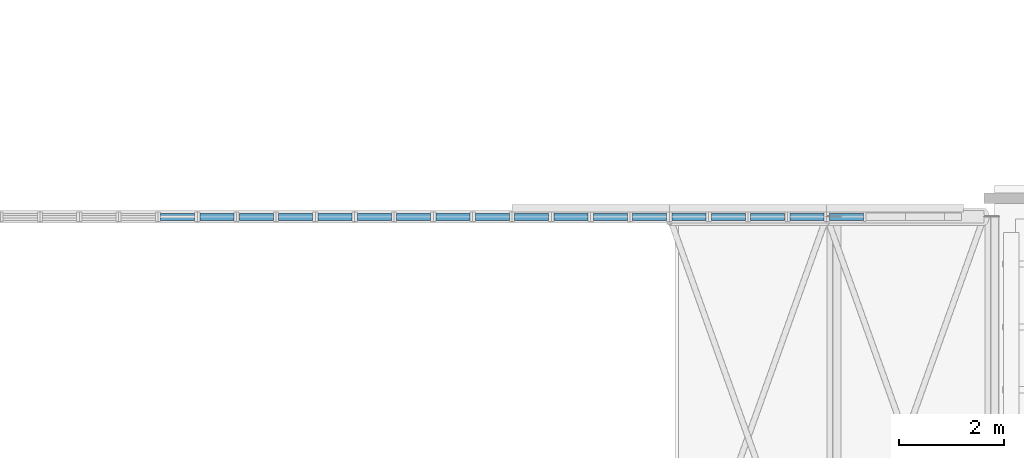
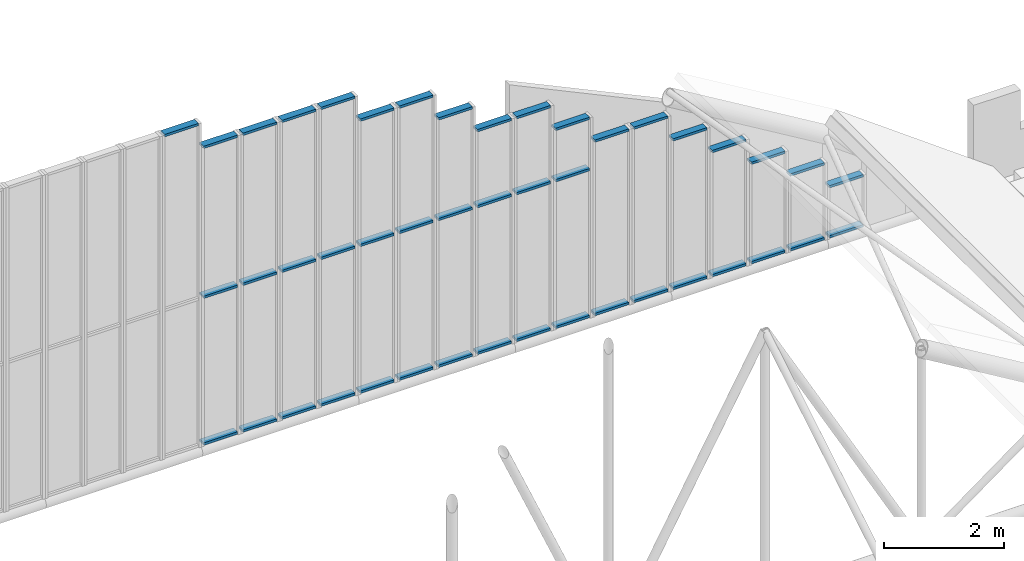
# One storey, part 91 of 153: 45 members, 18 elements without a shape of their own.
"""IFC4 building model written with IfcOpenShell, lengths in metres."""

from ifc_helpers import new_model, si_unit, direction, frame, origin, origin_2d, place, context, subcontext, project, spatial, rectangle, extrude, material, material_profile, profile_set, type_object, element, aggregate, save


model = new_model("IFC4")

# Units and contexts
model_context = context("Model", 3, precision=1e-05, world=origin(), true_north=direction((0.0, 1.0)))
body_context = subcontext(model_context, "Body", "Model", "MODEL_VIEW")
ifc_project = project(units=[si_unit("LENGTHUNIT", "METRE"), si_unit("AREAUNIT", "SQUARE_METRE"), si_unit("VOLUMEUNIT", "CUBIC_METRE"), si_unit("PLANEANGLEUNIT", "RADIAN"), si_unit("MASSUNIT", "GRAM", prefix="KILO")], contexts=[model_context])

# Site, building, storey
site_placement = place(None, origin())
site = spatial("IfcSite", under=ifc_project, at=site_placement, CompositionType="ELEMENT")
building_placement = place(site_placement, origin())
building = spatial("IfcBuilding", under=site, at=building_placement, Name="Baradari Gate Terminus", CompositionType="ELEMENT")
storey_placement = place(building_placement, frame((0.0, 0.0, 11.699951171875)))
storey = spatial("IfcBuildingStorey", under=building, at=storey_placement, Name="L02", CompositionType="ELEMENT", Elevation=11.699951171875)

# Curtain wall, member
ifc_material_1 = material(Name="Aluminium 6063-T6", Category="aluminium")
curtain_wall_type = type_object("IfcCurtainWallType", Name="Curtain wall CW-60 hall gable glazing", PredefinedType="NOTDEFINED", material=ifc_material_1)
curtain_wall_1_placement = place(storey_placement, origin())
curtain_wall_1 = element("IfcCurtainWall", 1, at=curtain_wall_1_placement, inside=storey, type_object=curtain_wall_type, Name="Hall gable glazing N28", PredefinedType="NOTDEFINED")
ifc_material_2 = material(Name="Aluminium 6063-T6", Category="aluminium")
ifc_material_profile = material_profile(ifc_material_2, rectangle(XDim=0.135009765625, YDim=0.050048828125, at=origin_2d()), Name="CT-60 50X135")
ifc_profile_set = profile_set([ifc_material_profile], Name="Aluminium 6063-T6")
member_type = type_object("IfcMemberType", Name="Curtain wall transom CT-60 50x135", PredefinedType="USERDEFINED", material=ifc_profile_set)
member_1_placement = place(storey_placement, frame((155.300048828125, 107.39990234375, 6.775146484375), z_axis=(1.0, 0.0, 0.0), x_axis=(0.0, 1.0, 0.0)))
member_1 = element("IfcMember", 2, at=member_1_placement, type_object=member_type, Name="CW-60 transom 1.3", ObjectType="TRANSOM", PredefinedType="USERDEFINED", context=body_context, shape_type="SweptSolid", body=[
    extrude(rectangle(XDim=0.135009765625, YDim=0.050048828125, at=origin_2d()), origin(), (0.0, 0.0, 1.0), 0.64990234375),
])
aggregate(curtain_wall_1, [member_1])

# Curtain wall, members
curtain_wall_2_placement = place(storey_placement, origin())
curtain_wall_2 = element("IfcCurtainWall", 3, at=curtain_wall_2_placement, inside=storey, type_object=curtain_wall_type, Name="Hall gable glazing N29", PredefinedType="NOTDEFINED")
member_2_placement = place(storey_placement, frame((156.050048828125, 107.39990234375, 0.259521484375), z_axis=(1.0, 0.0, 0.0), x_axis=(0.0, 1.0, 0.0)))
member_2 = element("IfcMember", 4, at=member_2_placement, type_object=member_type, Name="CW-60 transom 1.1", ObjectType="TRANSOM", PredefinedType="USERDEFINED", context=body_context, shape_type="SweptSolid", body=[
    extrude(rectangle(XDim=0.135009765625, YDim=0.050048828125, at=origin_2d()), origin(), (0.0, 0.0, 1.0), 0.64990234375),
])
member_3_placement = place(storey_placement, frame((156.050048828125, 107.39990234375, 3.234619140625), z_axis=(1.0, 0.0, 0.0), x_axis=(0.0, 1.0, 0.0)))
member_3 = element("IfcMember", 5, at=member_3_placement, type_object=member_type, Name="CW-60 transom 1.2", ObjectType="TRANSOM", PredefinedType="USERDEFINED", context=body_context, shape_type="SweptSolid", body=[
    extrude(rectangle(XDim=0.135009765625, YDim=0.050048828125, at=origin_2d()), origin(), (0.0, 0.0, 1.0), 0.64990234375),
])
member_4_placement = place(storey_placement, frame((156.050048828125, 107.39990234375, 6.275146484375), z_axis=(1.0, 0.0, 0.0), x_axis=(0.0, 1.0, 0.0)))
member_4 = element("IfcMember", 6, at=member_4_placement, type_object=member_type, Name="CW-60 transom 1.3", ObjectType="TRANSOM", PredefinedType="USERDEFINED", context=body_context, shape_type="SweptSolid", body=[
    extrude(rectangle(XDim=0.135009765625, YDim=0.050048828125, at=origin_2d()), origin(), (0.0, 0.0, 1.0), 0.64990234375),
])
aggregate(curtain_wall_2, [member_2, member_3, member_4])

curtain_wall_3_placement = place(storey_placement, origin())
curtain_wall_3 = element("IfcCurtainWall", 7, at=curtain_wall_3_placement, inside=storey, type_object=curtain_wall_type, Name="Hall gable glazing N30", PredefinedType="NOTDEFINED")
member_5_placement = place(storey_placement, frame((156.800048828125, 107.39990234375, 0.259521484375), z_axis=(1.0, 0.0, 0.0), x_axis=(0.0, 1.0, 0.0)))
member_5 = element("IfcMember", 8, at=member_5_placement, type_object=member_type, Name="CW-60 transom 1.1", ObjectType="TRANSOM", PredefinedType="USERDEFINED", context=body_context, shape_type="SweptSolid", body=[
    extrude(rectangle(XDim=0.135009765625, YDim=0.050048828125, at=origin_2d()), origin(), (0.0, 0.0, 1.0), 0.64990234375),
])
member_6_placement = place(storey_placement, frame((156.800048828125, 107.39990234375, 3.234619140625), z_axis=(1.0, 0.0, 0.0), x_axis=(0.0, 1.0, 0.0)))
member_6 = element("IfcMember", 9, at=member_6_placement, type_object=member_type, Name="CW-60 transom 1.2", ObjectType="TRANSOM", PredefinedType="USERDEFINED", context=body_context, shape_type="SweptSolid", body=[
    extrude(rectangle(XDim=0.135009765625, YDim=0.050048828125, at=origin_2d()), origin(), (0.0, 0.0, 1.0), 0.64990234375),
])
member_7_placement = place(storey_placement, frame((156.800048828125, 107.39990234375, 6.275146484375), z_axis=(1.0, 0.0, 0.0), x_axis=(0.0, 1.0, 0.0)))
member_7 = element("IfcMember", 10, at=member_7_placement, type_object=member_type, Name="CW-60 transom 1.3", ObjectType="TRANSOM", PredefinedType="USERDEFINED", context=body_context, shape_type="SweptSolid", body=[
    extrude(rectangle(XDim=0.135009765625, YDim=0.050048828125, at=origin_2d()), origin(), (0.0, 0.0, 1.0), 0.64990234375),
])
aggregate(curtain_wall_3, [member_5, member_6, member_7])

curtain_wall_4_placement = place(storey_placement, origin())
curtain_wall_4 = element("IfcCurtainWall", 11, at=curtain_wall_4_placement, inside=storey, type_object=curtain_wall_type, Name="Hall gable glazing N31", PredefinedType="NOTDEFINED")
member_8_placement = place(storey_placement, frame((157.550048828125, 107.39990234375, 0.259521484375), z_axis=(1.0, 0.0, 0.0), x_axis=(0.0, 1.0, 0.0)))
member_8 = element("IfcMember", 12, at=member_8_placement, type_object=member_type, Name="CW-60 transom 1.1", ObjectType="TRANSOM", PredefinedType="USERDEFINED", context=body_context, shape_type="SweptSolid", body=[
    extrude(rectangle(XDim=0.135009765625, YDim=0.050048828125, at=origin_2d()), origin(), (0.0, 0.0, 1.0), 0.64990234375),
])
member_9_placement = place(storey_placement, frame((157.550048828125, 107.39990234375, 3.234619140625), z_axis=(1.0, 0.0, 0.0), x_axis=(0.0, 1.0, 0.0)))
member_9 = element("IfcMember", 13, at=member_9_placement, type_object=member_type, Name="CW-60 transom 1.2", ObjectType="TRANSOM", PredefinedType="USERDEFINED", context=body_context, shape_type="SweptSolid", body=[
    extrude(rectangle(XDim=0.135009765625, YDim=0.050048828125, at=origin_2d()), origin(), (0.0, 0.0, 1.0), 0.64990234375),
])
member_10_placement = place(storey_placement, frame((157.550048828125, 107.39990234375, 6.275146484375), z_axis=(1.0, 0.0, 0.0), x_axis=(0.0, 1.0, 0.0)))
member_10 = element("IfcMember", 14, at=member_10_placement, type_object=member_type, Name="CW-60 transom 1.3", ObjectType="TRANSOM", PredefinedType="USERDEFINED", context=body_context, shape_type="SweptSolid", body=[
    extrude(rectangle(XDim=0.135009765625, YDim=0.050048828125, at=origin_2d()), origin(), (0.0, 0.0, 1.0), 0.64990234375),
])
aggregate(curtain_wall_4, [member_8, member_9, member_10])

curtain_wall_5_placement = place(storey_placement, origin())
curtain_wall_5 = element("IfcCurtainWall", 15, at=curtain_wall_5_placement, inside=storey, type_object=curtain_wall_type, Name="Hall gable glazing N32", PredefinedType="NOTDEFINED")
member_11_placement = place(storey_placement, frame((158.300048828125, 107.39990234375, 0.259521484375), z_axis=(1.0, 0.0, 0.0), x_axis=(0.0, 1.0, 0.0)))
member_11 = element("IfcMember", 16, at=member_11_placement, type_object=member_type, Name="CW-60 transom 1.1", ObjectType="TRANSOM", PredefinedType="USERDEFINED", context=body_context, shape_type="SweptSolid", body=[
    extrude(rectangle(XDim=0.135009765625, YDim=0.050048828125, at=origin_2d()), origin(), (0.0, 0.0, 1.0), 0.64990234375),
])
member_12_placement = place(storey_placement, frame((158.300048828125, 107.39990234375, 3.234619140625), z_axis=(1.0, 0.0, 0.0), x_axis=(0.0, 1.0, 0.0)))
member_12 = element("IfcMember", 17, at=member_12_placement, type_object=member_type, Name="CW-60 transom 1.2", ObjectType="TRANSOM", PredefinedType="USERDEFINED", context=body_context, shape_type="SweptSolid", body=[
    extrude(rectangle(XDim=0.135009765625, YDim=0.050048828125, at=origin_2d()), origin(), (0.0, 0.0, 1.0), 0.64990234375),
])
member_13_placement = place(storey_placement, frame((158.300048828125, 107.39990234375, 6.275146484375), z_axis=(1.0, 0.0, 0.0), x_axis=(0.0, 1.0, 0.0)))
member_13 = element("IfcMember", 18, at=member_13_placement, type_object=member_type, Name="CW-60 transom 1.3", ObjectType="TRANSOM", PredefinedType="USERDEFINED", context=body_context, shape_type="SweptSolid", body=[
    extrude(rectangle(XDim=0.135009765625, YDim=0.050048828125, at=origin_2d()), origin(), (0.0, 0.0, 1.0), 0.64990234375),
])
aggregate(curtain_wall_5, [member_11, member_12, member_13])

curtain_wall_6_placement = place(storey_placement, origin())
curtain_wall_6 = element("IfcCurtainWall", 19, at=curtain_wall_6_placement, inside=storey, type_object=curtain_wall_type, Name="Hall gable glazing N33", PredefinedType="NOTDEFINED")
member_14_placement = place(storey_placement, frame((159.050048828125, 107.39990234375, 0.259521484375), z_axis=(1.0, 0.0, 0.0), x_axis=(0.0, 1.0, 0.0)))
member_14 = element("IfcMember", 20, at=member_14_placement, type_object=member_type, Name="CW-60 transom 1.1", ObjectType="TRANSOM", PredefinedType="USERDEFINED", context=body_context, shape_type="SweptSolid", body=[
    extrude(rectangle(XDim=0.135009765625, YDim=0.050048828125, at=origin_2d()), origin(), (0.0, 0.0, 1.0), 0.64990234375),
])
member_15_placement = place(storey_placement, frame((159.050048828125, 107.39990234375, 3.234619140625), z_axis=(1.0, 0.0, 0.0), x_axis=(0.0, 1.0, 0.0)))
member_15 = element("IfcMember", 21, at=member_15_placement, type_object=member_type, Name="CW-60 transom 1.2", ObjectType="TRANSOM", PredefinedType="USERDEFINED", context=body_context, shape_type="SweptSolid", body=[
    extrude(rectangle(XDim=0.135009765625, YDim=0.050048828125, at=origin_2d()), origin(), (0.0, 0.0, 1.0), 0.64990234375),
])
member_16_placement = place(storey_placement, frame((159.050048828125, 107.39990234375, 5.775146484375), z_axis=(1.0, 0.0, 0.0), x_axis=(0.0, 1.0, 0.0)))
member_16 = element("IfcMember", 22, at=member_16_placement, type_object=member_type, Name="CW-60 transom 1.3", ObjectType="TRANSOM", PredefinedType="USERDEFINED", context=body_context, shape_type="SweptSolid", body=[
    extrude(rectangle(XDim=0.135009765625, YDim=0.050048828125, at=origin_2d()), origin(), (0.0, 0.0, 1.0), 0.64990234375),
])
aggregate(curtain_wall_6, [member_14, member_15, member_16])

curtain_wall_7_placement = place(storey_placement, origin())
curtain_wall_7 = element("IfcCurtainWall", 23, at=curtain_wall_7_placement, inside=storey, type_object=curtain_wall_type, Name="Hall gable glazing N34", PredefinedType="NOTDEFINED")
member_17_placement = place(storey_placement, frame((159.800048828125, 107.39990234375, 0.259521484375), z_axis=(1.0, 0.0, 0.0), x_axis=(0.0, 1.0, 0.0)))
member_17 = element("IfcMember", 24, at=member_17_placement, type_object=member_type, Name="CW-60 transom 1.1", ObjectType="TRANSOM", PredefinedType="USERDEFINED", context=body_context, shape_type="SweptSolid", body=[
    extrude(rectangle(XDim=0.135009765625, YDim=0.050048828125, at=origin_2d()), origin(), (0.0, 0.0, 1.0), 0.64990234375),
])
member_18_placement = place(storey_placement, frame((159.800048828125, 107.39990234375, 3.234619140625), z_axis=(1.0, 0.0, 0.0), x_axis=(0.0, 1.0, 0.0)))
member_18 = element("IfcMember", 25, at=member_18_placement, type_object=member_type, Name="CW-60 transom 1.2", ObjectType="TRANSOM", PredefinedType="USERDEFINED", context=body_context, shape_type="SweptSolid", body=[
    extrude(rectangle(XDim=0.135009765625, YDim=0.050048828125, at=origin_2d()), origin(), (0.0, 0.0, 1.0), 0.64990234375),
])
member_19_placement = place(storey_placement, frame((159.800048828125, 107.39990234375, 5.775146484375), z_axis=(1.0, 0.0, 0.0), x_axis=(0.0, 1.0, 0.0)))
member_19 = element("IfcMember", 26, at=member_19_placement, type_object=member_type, Name="CW-60 transom 1.3", ObjectType="TRANSOM", PredefinedType="USERDEFINED", context=body_context, shape_type="SweptSolid", body=[
    extrude(rectangle(XDim=0.135009765625, YDim=0.050048828125, at=origin_2d()), origin(), (0.0, 0.0, 1.0), 0.64990234375),
])
aggregate(curtain_wall_7, [member_17, member_18, member_19])

curtain_wall_8_placement = place(storey_placement, origin())
curtain_wall_8 = element("IfcCurtainWall", 27, at=curtain_wall_8_placement, inside=storey, type_object=curtain_wall_type, Name="Hall gable glazing N35", PredefinedType="NOTDEFINED")
member_20_placement = place(storey_placement, frame((160.550048828125, 107.39990234375, 0.259521484375), z_axis=(1.0, 0.0, 0.0), x_axis=(0.0, 1.0, 0.0)))
member_20 = element("IfcMember", 28, at=member_20_placement, type_object=member_type, Name="CW-60 transom 1.1", ObjectType="TRANSOM", PredefinedType="USERDEFINED", context=body_context, shape_type="SweptSolid", body=[
    extrude(rectangle(XDim=0.135009765625, YDim=0.050048828125, at=origin_2d()), origin(), (0.0, 0.0, 1.0), 0.64990234375),
])
member_21_placement = place(storey_placement, frame((160.550048828125, 107.39990234375, 3.234619140625), z_axis=(1.0, 0.0, 0.0), x_axis=(0.0, 1.0, 0.0)))
member_21 = element("IfcMember", 29, at=member_21_placement, type_object=member_type, Name="CW-60 transom 1.2", ObjectType="TRANSOM", PredefinedType="USERDEFINED", context=body_context, shape_type="SweptSolid", body=[
    extrude(rectangle(XDim=0.135009765625, YDim=0.050048828125, at=origin_2d()), origin(), (0.0, 0.0, 1.0), 0.64990234375),
])
member_22_placement = place(storey_placement, frame((160.550048828125, 107.39990234375, 5.275146484375), z_axis=(1.0, 0.0, 0.0), x_axis=(0.0, 1.0, 0.0)))
member_22 = element("IfcMember", 30, at=member_22_placement, type_object=member_type, Name="CW-60 transom 1.3", ObjectType="TRANSOM", PredefinedType="USERDEFINED", context=body_context, shape_type="SweptSolid", body=[
    extrude(rectangle(XDim=0.135009765625, YDim=0.050048828125, at=origin_2d()), origin(), (0.0, 0.0, 1.0), 0.64990234375),
])
aggregate(curtain_wall_8, [member_20, member_21, member_22])

curtain_wall_9_placement = place(storey_placement, origin())
curtain_wall_9 = element("IfcCurtainWall", 31, at=curtain_wall_9_placement, inside=storey, type_object=curtain_wall_type, Name="Hall gable glazing N36", PredefinedType="NOTDEFINED")
member_23_placement = place(storey_placement, frame((161.300048828125, 107.39990234375, 0.259521484375), z_axis=(1.0, 0.0, 0.0), x_axis=(0.0, 1.0, 0.0)))
member_23 = element("IfcMember", 32, at=member_23_placement, type_object=member_type, Name="CW-60 transom 1.1", ObjectType="TRANSOM", PredefinedType="USERDEFINED", context=body_context, shape_type="SweptSolid", body=[
    extrude(rectangle(XDim=0.135009765625, YDim=0.050048828125, at=origin_2d()), origin(), (0.0, 0.0, 1.0), 0.64990234375),
])
member_24_placement = place(storey_placement, frame((161.300048828125, 107.39990234375, 3.234619140625), z_axis=(1.0, 0.0, 0.0), x_axis=(0.0, 1.0, 0.0)))
member_24 = element("IfcMember", 33, at=member_24_placement, type_object=member_type, Name="CW-60 transom 1.2", ObjectType="TRANSOM", PredefinedType="USERDEFINED", context=body_context, shape_type="SweptSolid", body=[
    extrude(rectangle(XDim=0.135009765625, YDim=0.050048828125, at=origin_2d()), origin(), (0.0, 0.0, 1.0), 0.64990234375),
])
member_25_placement = place(storey_placement, frame((161.300048828125, 107.39990234375, 4.775146484375), z_axis=(1.0, 0.0, 0.0), x_axis=(0.0, 1.0, 0.0)))
member_25 = element("IfcMember", 34, at=member_25_placement, type_object=member_type, Name="CW-60 transom 1.3", ObjectType="TRANSOM", PredefinedType="USERDEFINED", context=body_context, shape_type="SweptSolid", body=[
    extrude(rectangle(XDim=0.135009765625, YDim=0.050048828125, at=origin_2d()), origin(), (0.0, 0.0, 1.0), 0.64990234375),
])
aggregate(curtain_wall_9, [member_23, member_24, member_25])

curtain_wall_10_placement = place(storey_placement, origin())
curtain_wall_10 = element("IfcCurtainWall", 35, at=curtain_wall_10_placement, inside=storey, type_object=curtain_wall_type, Name="Hall gable glazing N37", PredefinedType="NOTDEFINED")
member_26_placement = place(storey_placement, frame((162.050048828125, 107.39990234375, 0.259521484375), z_axis=(1.0, 0.0, 0.0), x_axis=(0.0, 1.0, 0.0)))
member_26 = element("IfcMember", 36, at=member_26_placement, type_object=member_type, Name="CW-60 transom 1.1", ObjectType="TRANSOM", PredefinedType="USERDEFINED", context=body_context, shape_type="SweptSolid", body=[
    extrude(rectangle(XDim=0.135009765625, YDim=0.050048828125, at=origin_2d()), origin(), (0.0, 0.0, 1.0), 0.64990234375),
])
member_27_placement = place(storey_placement, frame((162.050048828125, 107.39990234375, 3.234619140625), z_axis=(1.0, 0.0, 0.0), x_axis=(0.0, 1.0, 0.0)))
member_27 = element("IfcMember", 37, at=member_27_placement, type_object=member_type, Name="CW-60 transom 1.2", ObjectType="TRANSOM", PredefinedType="USERDEFINED", context=body_context, shape_type="SweptSolid", body=[
    extrude(rectangle(XDim=0.135009765625, YDim=0.050048828125, at=origin_2d()), origin(), (0.0, 0.0, 1.0), 0.64990234375),
])
member_28_placement = place(storey_placement, frame((162.050048828125, 107.39990234375, 4.775146484375), z_axis=(1.0, 0.0, 0.0), x_axis=(0.0, 1.0, 0.0)))
member_28 = element("IfcMember", 38, at=member_28_placement, type_object=member_type, Name="CW-60 transom 1.3", ObjectType="TRANSOM", PredefinedType="USERDEFINED", context=body_context, shape_type="SweptSolid", body=[
    extrude(rectangle(XDim=0.135009765625, YDim=0.050048828125, at=origin_2d()), origin(), (0.0, 0.0, 1.0), 0.64990234375),
])
aggregate(curtain_wall_10, [member_26, member_27, member_28])

curtain_wall_11_placement = place(storey_placement, origin())
curtain_wall_11 = element("IfcCurtainWall", 39, at=curtain_wall_11_placement, inside=storey, type_object=curtain_wall_type, Name="Hall gable glazing N38", PredefinedType="NOTDEFINED")
member_29_placement = place(storey_placement, frame((162.800048828125, 107.39990234375, 0.259521484375), z_axis=(1.0, 0.0, 0.0), x_axis=(0.0, 1.0, 0.0)))
member_29 = element("IfcMember", 40, at=member_29_placement, type_object=member_type, Name="CW-60 transom 1.1", ObjectType="TRANSOM", PredefinedType="USERDEFINED", context=body_context, shape_type="SweptSolid", body=[
    extrude(rectangle(XDim=0.135009765625, YDim=0.050048828125, at=origin_2d()), origin(), (0.0, 0.0, 1.0), 0.64990234375),
])
member_30_placement = place(storey_placement, frame((162.800048828125, 107.39990234375, 3.234619140625), z_axis=(1.0, 0.0, 0.0), x_axis=(0.0, 1.0, 0.0)))
member_30 = element("IfcMember", 41, at=member_30_placement, type_object=member_type, Name="CW-60 transom 1.2", ObjectType="TRANSOM", PredefinedType="USERDEFINED", context=body_context, shape_type="SweptSolid", body=[
    extrude(rectangle(XDim=0.135009765625, YDim=0.050048828125, at=origin_2d()), origin(), (0.0, 0.0, 1.0), 0.64990234375),
])
member_31_placement = place(storey_placement, frame((162.800048828125, 107.39990234375, 4.275146484375), z_axis=(1.0, 0.0, 0.0), x_axis=(0.0, 1.0, 0.0)))
member_31 = element("IfcMember", 42, at=member_31_placement, type_object=member_type, Name="CW-60 transom 1.3", ObjectType="TRANSOM", PredefinedType="USERDEFINED", context=body_context, shape_type="SweptSolid", body=[
    extrude(rectangle(XDim=0.135009765625, YDim=0.050048828125, at=origin_2d()), origin(), (0.0, 0.0, 1.0), 0.64990234375),
])
aggregate(curtain_wall_11, [member_29, member_30, member_31])

curtain_wall_12_placement = place(storey_placement, origin())
curtain_wall_12 = element("IfcCurtainWall", 43, at=curtain_wall_12_placement, inside=storey, type_object=curtain_wall_type, Name="Hall gable glazing N39", PredefinedType="NOTDEFINED")
member_32_placement = place(storey_placement, frame((163.550048828125, 107.39990234375, 0.259521484375), z_axis=(1.0, 0.0, 0.0), x_axis=(0.0, 1.0, 0.0)))
member_32 = element("IfcMember", 44, at=member_32_placement, type_object=member_type, Name="CW-60 transom 1.1", ObjectType="TRANSOM", PredefinedType="USERDEFINED", context=body_context, shape_type="SweptSolid", body=[
    extrude(rectangle(XDim=0.135009765625, YDim=0.050048828125, at=origin_2d()), origin(), (0.0, 0.0, 1.0), 0.64990234375),
])
member_33_placement = place(storey_placement, frame((163.550048828125, 107.39990234375, 3.775146484375), z_axis=(1.0, 0.0, 0.0), x_axis=(0.0, 1.0, 0.0)))
member_33 = element("IfcMember", 45, at=member_33_placement, type_object=member_type, Name="CW-60 transom 1.2", ObjectType="TRANSOM", PredefinedType="USERDEFINED", context=body_context, shape_type="SweptSolid", body=[
    extrude(rectangle(XDim=0.135009765625, YDim=0.050048828125, at=origin_2d()), origin(), (0.0, 0.0, 1.0), 0.64990234375),
])
aggregate(curtain_wall_12, [member_32, member_33])

curtain_wall_13_placement = place(storey_placement, origin())
curtain_wall_13 = element("IfcCurtainWall", 46, at=curtain_wall_13_placement, inside=storey, type_object=curtain_wall_type, Name="Hall gable glazing N40", PredefinedType="NOTDEFINED")
member_34_placement = place(storey_placement, frame((164.300048828125, 107.39990234375, 0.259521484375), z_axis=(1.0, 0.0, 0.0), x_axis=(0.0, 1.0, 0.0)))
member_34 = element("IfcMember", 47, at=member_34_placement, type_object=member_type, Name="CW-60 transom 1.1", ObjectType="TRANSOM", PredefinedType="USERDEFINED", context=body_context, shape_type="SweptSolid", body=[
    extrude(rectangle(XDim=0.135009765625, YDim=0.050048828125, at=origin_2d()), origin(), (0.0, 0.0, 1.0), 0.64990234375),
])
member_35_placement = place(storey_placement, frame((164.300048828125, 107.39990234375, 3.775146484375), z_axis=(1.0, 0.0, 0.0), x_axis=(0.0, 1.0, 0.0)))
member_35 = element("IfcMember", 48, at=member_35_placement, type_object=member_type, Name="CW-60 transom 1.2", ObjectType="TRANSOM", PredefinedType="USERDEFINED", context=body_context, shape_type="SweptSolid", body=[
    extrude(rectangle(XDim=0.135009765625, YDim=0.050048828125, at=origin_2d()), origin(), (0.0, 0.0, 1.0), 0.64990234375),
])
aggregate(curtain_wall_13, [member_34, member_35])

curtain_wall_14_placement = place(storey_placement, origin())
curtain_wall_14 = element("IfcCurtainWall", 49, at=curtain_wall_14_placement, inside=storey, type_object=curtain_wall_type, Name="Hall gable glazing N41", PredefinedType="NOTDEFINED")
member_36_placement = place(storey_placement, frame((165.050048828125, 107.39990234375, 0.259521484375), z_axis=(1.0, 0.0, 0.0), x_axis=(0.0, 1.0, 0.0)))
member_36 = element("IfcMember", 50, at=member_36_placement, type_object=member_type, Name="CW-60 transom 1.1", ObjectType="TRANSOM", PredefinedType="USERDEFINED", context=body_context, shape_type="SweptSolid", body=[
    extrude(rectangle(XDim=0.135009765625, YDim=0.050048828125, at=origin_2d()), origin(), (0.0, 0.0, 1.0), 0.64990234375),
])
member_37_placement = place(storey_placement, frame((165.050048828125, 107.39990234375, 3.275146484375), z_axis=(1.0, 0.0, 0.0), x_axis=(0.0, 1.0, 0.0)))
member_37 = element("IfcMember", 51, at=member_37_placement, type_object=member_type, Name="CW-60 transom 1.2", ObjectType="TRANSOM", PredefinedType="USERDEFINED", context=body_context, shape_type="SweptSolid", body=[
    extrude(rectangle(XDim=0.135009765625, YDim=0.050048828125, at=origin_2d()), origin(), (0.0, 0.0, 1.0), 0.64990234375),
])
aggregate(curtain_wall_14, [member_36, member_37])

curtain_wall_15_placement = place(storey_placement, origin())
curtain_wall_15 = element("IfcCurtainWall", 52, at=curtain_wall_15_placement, inside=storey, type_object=curtain_wall_type, Name="Hall gable glazing N42", PredefinedType="NOTDEFINED")
member_38_placement = place(storey_placement, frame((165.800048828125, 107.39990234375, 0.259521484375), z_axis=(1.0, 0.0, 0.0), x_axis=(0.0, 1.0, 0.0)))
member_38 = element("IfcMember", 53, at=member_38_placement, type_object=member_type, Name="CW-60 transom 1.1", ObjectType="TRANSOM", PredefinedType="USERDEFINED", context=body_context, shape_type="SweptSolid", body=[
    extrude(rectangle(XDim=0.135009765625, YDim=0.050048828125, at=origin_2d()), origin(), (0.0, 0.0, 1.0), 0.64990234375),
])
member_39_placement = place(storey_placement, frame((165.800048828125, 107.39990234375, 2.775146484375), z_axis=(1.0, 0.0, 0.0), x_axis=(0.0, 1.0, 0.0)))
member_39 = element("IfcMember", 54, at=member_39_placement, type_object=member_type, Name="CW-60 transom 1.2", ObjectType="TRANSOM", PredefinedType="USERDEFINED", context=body_context, shape_type="SweptSolid", body=[
    extrude(rectangle(XDim=0.135009765625, YDim=0.050048828125, at=origin_2d()), origin(), (0.0, 0.0, 1.0), 0.64990234375),
])
aggregate(curtain_wall_15, [member_38, member_39])

curtain_wall_16_placement = place(storey_placement, origin())
curtain_wall_16 = element("IfcCurtainWall", 55, at=curtain_wall_16_placement, inside=storey, type_object=curtain_wall_type, Name="Hall gable glazing N43", PredefinedType="NOTDEFINED")
member_40_placement = place(storey_placement, frame((166.550048828125, 107.39990234375, 0.259521484375), z_axis=(1.0, 0.0, 0.0), x_axis=(0.0, 1.0, 0.0)))
member_40 = element("IfcMember", 56, at=member_40_placement, type_object=member_type, Name="CW-60 transom 1.1", ObjectType="TRANSOM", PredefinedType="USERDEFINED", context=body_context, shape_type="SweptSolid", body=[
    extrude(rectangle(XDim=0.135009765625, YDim=0.050048828125, at=origin_2d()), origin(), (0.0, 0.0, 1.0), 0.64990234375),
])
member_41_placement = place(storey_placement, frame((166.550048828125, 107.39990234375, 2.275146484375), z_axis=(1.0, 0.0, 0.0), x_axis=(0.0, 1.0, 0.0)))
member_41 = element("IfcMember", 57, at=member_41_placement, type_object=member_type, Name="CW-60 transom 1.2", ObjectType="TRANSOM", PredefinedType="USERDEFINED", context=body_context, shape_type="SweptSolid", body=[
    extrude(rectangle(XDim=0.135009765625, YDim=0.050048828125, at=origin_2d()), origin(), (0.0, 0.0, 1.0), 0.64990234375),
])
aggregate(curtain_wall_16, [member_40, member_41])

curtain_wall_17_placement = place(storey_placement, origin())
curtain_wall_17 = element("IfcCurtainWall", 58, at=curtain_wall_17_placement, inside=storey, type_object=curtain_wall_type, Name="Hall gable glazing N44", PredefinedType="NOTDEFINED")
member_42_placement = place(storey_placement, frame((167.300048828125, 107.39990234375, 0.259521484375), z_axis=(1.0, 0.0, 0.0), x_axis=(0.0, 1.0, 0.0)))
member_42 = element("IfcMember", 59, at=member_42_placement, type_object=member_type, Name="CW-60 transom 1.1", ObjectType="TRANSOM", PredefinedType="USERDEFINED", context=body_context, shape_type="SweptSolid", body=[
    extrude(rectangle(XDim=0.135009765625, YDim=0.050048828125, at=origin_2d()), origin(), (0.0, 0.0, 1.0), 0.64990234375),
])
member_43_placement = place(storey_placement, frame((167.300048828125, 107.39990234375, 1.775146484375), z_axis=(1.0, 0.0, 0.0), x_axis=(0.0, 1.0, 0.0)))
member_43 = element("IfcMember", 60, at=member_43_placement, type_object=member_type, Name="CW-60 transom 1.2", ObjectType="TRANSOM", PredefinedType="USERDEFINED", context=body_context, shape_type="SweptSolid", body=[
    extrude(rectangle(XDim=0.135009765625, YDim=0.050048828125, at=origin_2d()), origin(), (0.0, 0.0, 1.0), 0.64990234375),
])
aggregate(curtain_wall_17, [member_42, member_43])

curtain_wall_18_placement = place(storey_placement, origin())
curtain_wall_18 = element("IfcCurtainWall", 61, at=curtain_wall_18_placement, inside=storey, type_object=curtain_wall_type, Name="Hall gable glazing N45", PredefinedType="NOTDEFINED")
member_44_placement = place(storey_placement, frame((168.050048828125, 107.39990234375, 0.259521484375), z_axis=(1.0, 0.0, 0.0), x_axis=(0.0, 1.0, 0.0)))
member_44 = element("IfcMember", 62, at=member_44_placement, type_object=member_type, Name="CW-60 transom 1.1", ObjectType="TRANSOM", PredefinedType="USERDEFINED", context=body_context, shape_type="SweptSolid", body=[
    extrude(rectangle(XDim=0.135009765625, YDim=0.050048828125, at=origin_2d()), origin(), (0.0, 0.0, 1.0), 0.64990234375),
])
member_45_placement = place(storey_placement, frame((168.050048828125, 107.39990234375, 1.275146484375), z_axis=(1.0, 0.0, 0.0), x_axis=(0.0, 1.0, 0.0)))
member_45 = element("IfcMember", 63, at=member_45_placement, type_object=member_type, Name="CW-60 transom 1.2", ObjectType="TRANSOM", PredefinedType="USERDEFINED", context=body_context, shape_type="SweptSolid", body=[
    extrude(rectangle(XDim=0.135009765625, YDim=0.050048828125, at=origin_2d()), origin(), (0.0, 0.0, 1.0), 0.64990234375),
])
aggregate(curtain_wall_18, [member_44, member_45])

save(model, "model.ifc")
